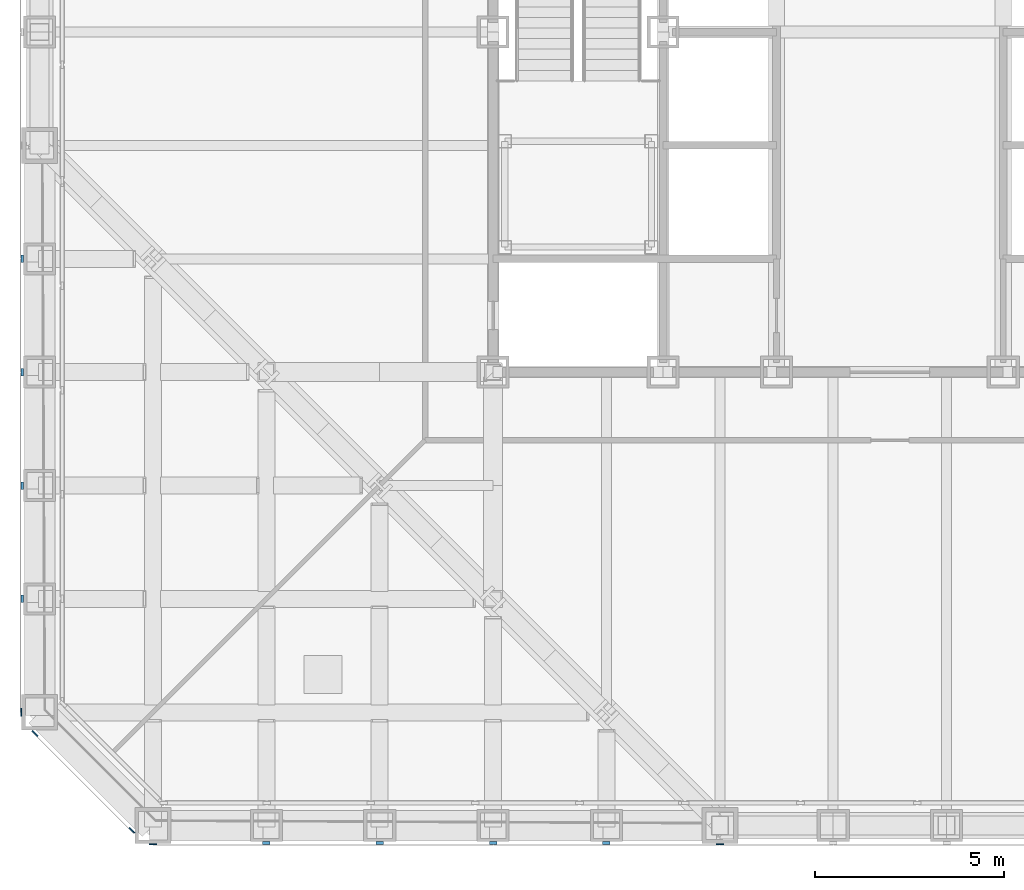
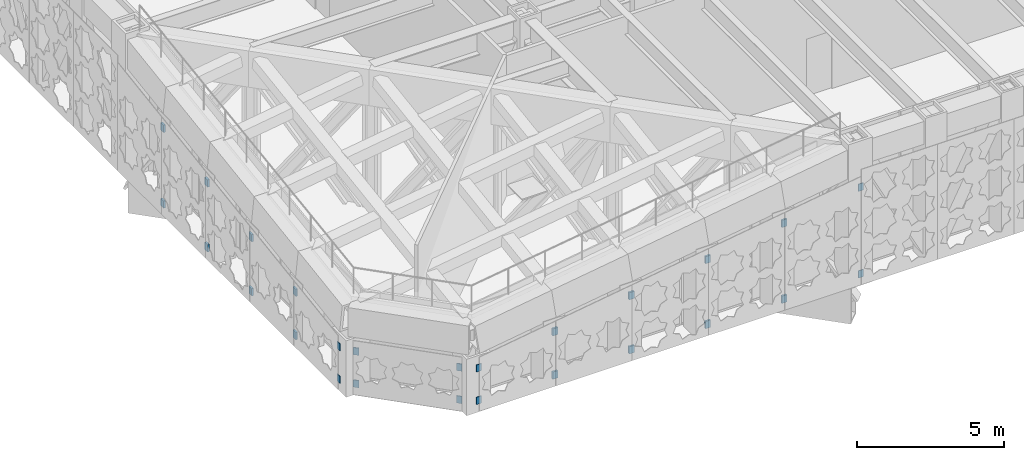
# One storey, part 13 of 31: 26 discrete accessories.
"""IFC4 building model written with IfcOpenShell, lengths in metres."""

from ifc_helpers import new_model, si_unit, direction, frame, origin, origin_2d, place, context, subcontext, project, spatial, rectangle, extrude, material, type_object, element, save


model = new_model("IFC4")

# Units and contexts
model_context = context("Model", 3, precision=1e-05, world=origin(), true_north=direction((0.0, 1.0)))
body_context = subcontext(model_context, "Body", "Model", "MODEL_VIEW")
ifc_project = project(units=[si_unit("LENGTHUNIT", "METRE"), si_unit("AREAUNIT", "SQUARE_METRE"), si_unit("VOLUMEUNIT", "CUBIC_METRE"), si_unit("PLANEANGLEUNIT", "RADIAN"), si_unit("MASSUNIT", "GRAM", prefix="KILO")], contexts=[model_context])

# Site, building, storey
site_placement = place(None, origin())
site = spatial("IfcSite", under=ifc_project, at=site_placement, CompositionType="ELEMENT")
building_placement = place(site_placement, origin())
building = spatial("IfcBuilding", under=site, at=building_placement, Name="Chuquiago Exchange Tower", CompositionType="ELEMENT")
storey_placement = place(building_placement, frame((0.0, 0.0, 96.300048828125)))
storey = spatial("IfcBuildingStorey", under=building, at=storey_placement, Name="L20", CompositionType="ELEMENT", Elevation=96.300048828125)

# Discrete accessories
ifc_material_1 = material(Name="Stainless steel plate bracket", Category="steel")
discrete_accessory_type_1 = type_object("IfcDiscreteAccessoryType", Name="GB4 cladding bracket 75", PredefinedType="BRACKET", material=ifc_material_1)
for number, where, z_axis, x_axis, name in (
    (1, (6.0, -0.46240234375, 0.35009765625), (0.0, 0.0, 1.0), (1.0, 0.0, 0.0), "Cladding bracket L20 S"),
    (2, (6.0, -0.46240234375, 2.1455078125), (0.0, 0.0, 1.0), (1.0, 0.0, 0.0), "Cladding bracket L20 S"),
    (3, (9.0, -0.46240234375, 0.35009765625), (0.0, 0.0, 1.0), (1.0, 0.0, 0.0), "Cladding bracket L20 S"),
    (4, (9.0, -0.46240234375, 2.59619140625), (0.0, 0.0, 1.0), (1.0, 0.0, 0.0), "Cladding bracket L20 S"),
    (5, (12.0, -0.46240234375, 0.35009765625), (0.0, 0.0, 1.0), (1.0, 0.0, 0.0), "Cladding bracket L20 S"),
    (6, (12.0, -0.46240234375, 3.04736328125), (0.0, 0.0, 1.0), (1.0, 0.0, 0.0), "Cladding bracket L20 S"),
    (7, (15.0, -0.46240234375, 0.35009765625), (0.0, 0.0, 1.0), (1.0, 0.0, 0.0), "Cladding bracket L20 S"),
    (8, (15.0, -0.46240234375, 3.498046875), (0.0, 0.0, 1.0), (1.0, 0.0, 0.0), "Cladding bracket L20 S"),
    (9, (-0.46240234375, 15.0, 0.35009765625), (0.0, 0.0, 1.0), (0.0, -1.0, 0.0), "Cladding bracket L20 W"),
    (10, (-0.46240234375, 15.0, 3.498046875), (0.0, 0.0, 1.0), (0.0, -1.0, 0.0), "Cladding bracket L20 W"),
    (11, (-0.46240234375, 12.0, 0.35009765625), (0.0, 0.0, 1.0), (0.0, -1.0, 0.0), "Cladding bracket L20 W"),
    (12, (-0.46240234375, 12.0, 3.04736328125), (0.0, 0.0, 1.0), (0.0, -1.0, 0.0), "Cladding bracket L20 W"),
    (13, (-0.46240234375, 9.0, 0.35009765625), (0.0, 0.0, 1.0), (0.0, -1.0, 0.0), "Cladding bracket L20 W"),
    (14, (-0.46240234375, 9.0, 2.59619140625), (0.0, 0.0, 1.0), (0.0, -1.0, 0.0), "Cladding bracket L20 W"),
    (15, (-0.46240234375, 6.0, 0.35009765625), (0.0, 0.0, 1.0), (0.0, -1.0, 0.0), "Cladding bracket L20 W"),
    (16, (-0.46240234375, 6.0, 2.1455078125), (0.0, 0.0, 1.0), (0.0, -1.0, 0.0), "Cladding bracket L20 W"),
):
    element("IfcDiscreteAccessory", number, at=place(storey_placement, frame(where, z_axis=z_axis, x_axis=x_axis)), inside=storey, type_object=discrete_accessory_type_1, Name=name, PredefinedType="BRACKET", context=body_context, shape_type="SweptSolid", body=[
        extrude(rectangle(XDim=0.199951171875, YDim=0.074951171875, at=origin_2d()), origin(), (0.0, 0.0, 1.0), 0.300048828125),
    ])
ifc_material_2 = material(Name="Stainless steel plate bracket", Category="steel")
discrete_accessory_type_2 = type_object("IfcDiscreteAccessoryType", Name="GB6 cladding bracket 35", PredefinedType="BRACKET", material=ifc_material_2)
for number, where, z_axis, x_axis, name in (
    (17, (-0.123779296875, 2.44189453125, 0.35009765625), (0.0, 0.0, 1.0), (0.707106781187, -0.707106781187, 0.0), "Cladding bracket L20 SW"),
    (18, (-0.123779296875, 2.44189453125, 1.6953125), (0.0, 0.0, 1.0), (0.707106781187, -0.707106781187, 0.0), "Cladding bracket L20 SW"),
    (19, (2.44189453125, -0.123779296875, 0.35009765625), (0.0, 0.0, 1.0), (0.707106781187, -0.707106781187, 0.0), "Cladding bracket L20 SW"),
    (20, (2.44189453125, -0.123779296875, 1.6953125), (0.0, 0.0, 1.0), (0.707106781187, -0.707106781187, 0.0), "Cladding bracket L20 SW"),
):
    element("IfcDiscreteAccessory", number, at=place(storey_placement, frame(where, z_axis=z_axis, x_axis=x_axis)), inside=storey, type_object=discrete_accessory_type_2, Name=name, PredefinedType="BRACKET", context=body_context, shape_type="SweptSolid", body=[
        extrude(rectangle(XDim=0.199951171875, YDim=0.035400390625, at=origin_2d()), origin(), (0.0, 0.0, 1.0), 0.300048828125),
    ])
ifc_material_3 = material(Name="Stainless steel plate bracket", Category="steel")
discrete_accessory_type_3 = type_object("IfcDiscreteAccessoryType", Name="GB7 cladding bracket 25", PredefinedType="BRACKET", material=ifc_material_3)
for number, where, z_axis, x_axis, name in (
    (21, (3.0, -0.487548828125, 0.35009765625), (0.0, 0.0, 1.0), (1.0, 0.0, 0.0), "Cladding bracket L20 S"),
    (22, (3.0, -0.487548828125, 1.6962890625), (0.0, 0.0, 1.0), (1.0, 0.0, 0.0), "Cladding bracket L20 S"),
    (23, (18.0, -0.487548828125, 0.35009765625), (0.0, 0.0, 1.0), (1.0, 0.0, 0.0), "Cladding bracket L20 S"),
    (24, (18.0, -0.487548828125, 3.94921875), (0.0, 0.0, 1.0), (1.0, 0.0, 0.0), "Cladding bracket L20 S"),
    (25, (-0.487548828125, 3.0, 0.35009765625), (0.0, 0.0, 1.0), (0.0, -1.0, 0.0), "Cladding bracket L20 W"),
    (26, (-0.487548828125, 3.0, 1.6962890625), (0.0, 0.0, 1.0), (0.0, -1.0, 0.0), "Cladding bracket L20 W"),
):
    element("IfcDiscreteAccessory", number, at=place(storey_placement, frame(where, z_axis=z_axis, x_axis=x_axis)), inside=storey, type_object=discrete_accessory_type_3, Name=name, PredefinedType="BRACKET", context=body_context, shape_type="SweptSolid", body=[
        extrude(rectangle(XDim=0.199951171875, YDim=0.02490234375, at=origin_2d()), origin(), (0.0, 0.0, 1.0), 0.300048828125),
    ])

save(model, "model.ifc")
